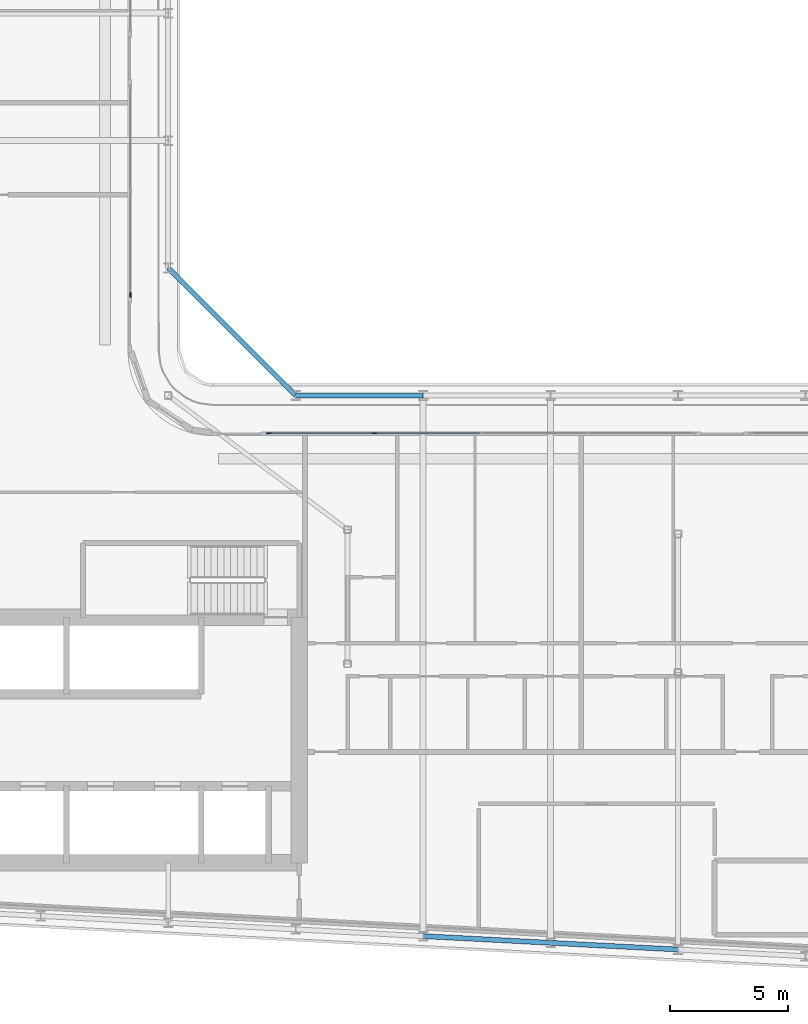
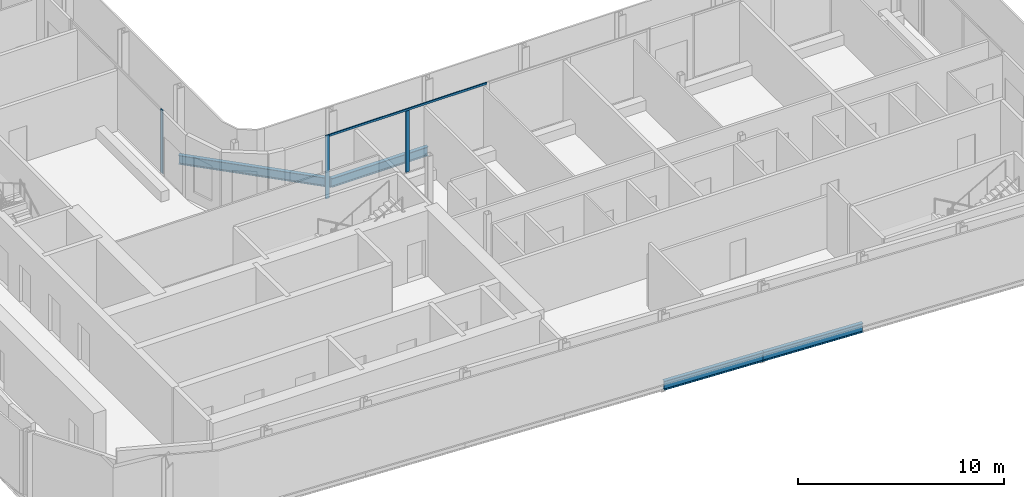
# One storey, part 4 of 21: 4 beams, 4 members, 2 elements without a shape of their own.
"""IFC4 building model written with IfcOpenShell, lengths in metres."""

from ifc_helpers import new_model, si_unit, direction, frame, origin, origin_2d, place, context, subcontext, project, spatial, rectangle, i_section, extrude, material, layer, layer_set, material_profile, profile_set, type_object, element, aggregate, save


model = new_model("IFC4")

# Units and contexts
model_context = context("Model", 3, precision=1e-05, world=origin(), true_north=direction((0.0, 1.0)))
body_context = subcontext(model_context, "Body", "Model", "MODEL_VIEW")
ifc_project = project(units=[si_unit("LENGTHUNIT", "METRE"), si_unit("AREAUNIT", "SQUARE_METRE"), si_unit("VOLUMEUNIT", "CUBIC_METRE"), si_unit("PLANEANGLEUNIT", "RADIAN"), si_unit("MASSUNIT", "GRAM", prefix="KILO")], contexts=[model_context])

# Site, building, storey
site_placement = place(None, origin())
site = spatial("IfcSite", under=ifc_project, at=site_placement, CompositionType="ELEMENT")
building_placement = place(site_placement, origin())
building = spatial("IfcBuilding", under=site, at=building_placement, Name="Kheshtan School and Residences Tower", CompositionType="ELEMENT")
storey_placement = place(building_placement, frame((0.0, 0.0, 231.800048828125)))
storey = spatial("IfcBuildingStorey", under=building, at=storey_placement, Name="L54", CompositionType="ELEMENT", Elevation=231.800048828125)

# Beams
ifc_material_1 = material(Name="Steel ASTM A992 Grade 50", Category="steel")
ifc_material_profile_1 = material_profile(ifc_material_1, i_section(OverallWidth=0.208984375, OverallDepth=0.532958984375, WebThickness=0.01025390625, FlangeThickness=0.015625, FilletRadius=0.013916015625, at=origin_2d()), Name="W530x92")
ifc_profile_set_1 = profile_set([ifc_material_profile_1], Name="Steel ASTM A992 Grade 50")
beam_type = type_object("IfcBeamType", Name="Beam SP3 W530x92 ASTM A992 Grade 50", PredefinedType="BEAM", material=ifc_profile_set_1)
beam_1_placement = place(storey_placement, frame((47.60009765625, 51.0, -0.41650390625), z_axis=(0.707106781187, -0.707106781187, 0.0), x_axis=(0.707106781187, 0.707106781187, 0.0)))
element("IfcBeam", 1, at=beam_1_placement, inside=storey, type_object=beam_type, Name="Spandrel beam C079-C061", PredefinedType="BEAM", context=body_context, shape_type="SweptSolid", body=[
    extrude(i_section(OverallWidth=0.208984375, OverallDepth=0.532958984375, WebThickness=0.01025390625, FlangeThickness=0.015625, FilletRadius=0.013916015625, at=origin_2d()), origin(), (0.0, 0.0, 1.0), 7.63671875),
])
beam_2_placement = place(storey_placement, frame((53.0, 45.60009765625, -0.41650390625), z_axis=(1.0, 0.0, 0.0), x_axis=(0.0, 1.0, 0.0)))
element("IfcBeam", 2, at=beam_2_placement, inside=storey, type_object=beam_type, Name="Spandrel beam C061-C062", PredefinedType="BEAM", context=body_context, shape_type="SweptSolid", body=[
    extrude(i_section(OverallWidth=0.208984375, OverallDepth=0.532958984375, WebThickness=0.01025390625, FlangeThickness=0.015625, FilletRadius=0.013916015625, at=origin_2d()), origin(), (0.0, 0.0, 1.0), 5.39990234375),
])
beam_3_placement = place(storey_placement, frame((69.199951171875, 22.126953125, -0.41650390625), z_axis=(-0.998620447272, 0.05250906864, 0.0), x_axis=(-0.05250906864, -0.998620447272, 0.0)))
element("IfcBeam", 3, at=beam_3_placement, inside=storey, type_object=beam_type, Name="Spandrel beam C014-C016", PredefinedType="BEAM", context=body_context, shape_type="SweptSolid", body=[
    extrude(i_section(OverallWidth=0.208984375, OverallDepth=0.532958984375, WebThickness=0.01025390625, FlangeThickness=0.015625, FilletRadius=0.013916015625, at=origin_2d()), origin(), (0.0, 0.0, 1.0), 5.407470703125),
])
beam_4_placement = place(storey_placement, frame((63.800048828125, 22.410888671875, -0.41650390625), z_axis=(-0.998618203458, 0.052551724256, 0.0), x_axis=(-0.052551724256, -0.998618203458, 0.0)))
element("IfcBeam", 4, at=beam_4_placement, inside=storey, type_object=beam_type, Name="Spandrel beam C016-C018", PredefinedType="BEAM", context=body_context, shape_type="SweptSolid", body=[
    extrude(i_section(OverallWidth=0.208984375, OverallDepth=0.532958984375, WebThickness=0.01025390625, FlangeThickness=0.015625, FilletRadius=0.013916015625, at=origin_2d()), origin(), (0.0, 0.0, 1.0), 5.40771484375),
])

# Curtain wall, member
ifc_material_2 = material(Name="Clear low-e glass in thermally broken aluminium frame", Category="aluminium")
ifc_layer = layer(ifc_material_2, 0.199951171875)
ifc_layer_set = layer_set([ifc_layer], Name="Curtain wall CW-L")
curtain_wall_type = type_object("IfcCurtainWallType", Name="Curtain wall CW-L", PredefinedType="NOTDEFINED", material=ifc_layer_set)
curtain_wall_1_placement = place(storey_placement, origin())
curtain_wall_1 = element("IfcCurtainWall", 5, at=curtain_wall_1_placement, inside=storey, type_object=curtain_wall_type, Name="Curtain wall CWL4b", PredefinedType="NOTDEFINED")
ifc_material_3 = material(Name="Thermally broken aluminium, dark bronze anodised", Category="aluminium")
ifc_material_profile_2 = material_profile(ifc_material_3, rectangle(XDim=0.06005859375, YDim=0.199951171875, at=origin_2d()), Name="CW-L mullion 60x200")
ifc_profile_set_2 = profile_set([ifc_material_profile_2], Name="Thermally broken aluminium, dark bronze anodised")
member_type_1 = type_object("IfcMemberType", Name="CW-L mullion 60x200", PredefinedType="MULLION", material=ifc_profile_set_2)
member_1_placement = place(storey_placement, frame((46.0, 49.860107421875, 0.0), z_axis=(0.0, 0.0, 1.0), x_axis=(1.0, 0.0, 0.0)))
member_1 = element("IfcMember", 6, at=member_1_placement, type_object=member_type_1, Name="CWL4b mullion 3", PredefinedType="MULLION", context=body_context, shape_type="SweptSolid", body=[
    extrude(rectangle(XDim=0.06005859375, YDim=0.199951171875, at=origin_2d()), origin(), (0.0, 0.0, 1.0), 3.75),
])
aggregate(curtain_wall_1, [member_1])

# Curtain wall, members
curtain_wall_2_placement = place(storey_placement, origin())
curtain_wall_2 = element("IfcCurtainWall", 7, at=curtain_wall_2_placement, inside=storey, type_object=curtain_wall_type, Name="Curtain wall CWL8n", PredefinedType="NOTDEFINED")
member_2_placement = place(storey_placement, frame((51.860107421875, 44.0, 0.0), z_axis=(0.0, 0.0, 1.0), x_axis=(0.0, 1.0, 0.0)))
member_2 = element("IfcMember", 8, at=member_2_placement, type_object=member_type_1, Name="CWL8n mullion 1", PredefinedType="MULLION", context=body_context, shape_type="SweptSolid", body=[
    extrude(rectangle(XDim=0.06005859375, YDim=0.199951171875, at=origin_2d()), origin(), (0.0, 0.0, 1.0), 3.75),
])
member_3_placement = place(storey_placement, frame((56.341552734375, 44.0, 0.0), z_axis=(0.0, 0.0, 1.0), x_axis=(0.0, 1.0, 0.0)))
member_3 = element("IfcMember", 9, at=member_3_placement, type_object=member_type_1, Name="CWL8n mullion 2", PredefinedType="MULLION", context=body_context, shape_type="SweptSolid", body=[
    extrude(rectangle(XDim=0.06005859375, YDim=0.199951171875, at=origin_2d()), origin(), (0.0, 0.0, 1.0), 3.6298828125),
])
ifc_material_profile_3 = material_profile(ifc_material_3, rectangle(XDim=0.06005859375, YDim=0.1201171875, at=origin_2d()), Name="CW-L transom 60x120")
ifc_profile_set_3 = profile_set([ifc_material_profile_3], Name="Thermally broken aluminium, dark bronze anodised")
member_type_2 = type_object("IfcMemberType", Name="CW-L transom 60x120", PredefinedType="USERDEFINED", material=ifc_profile_set_3)
member_4_placement = place(storey_placement, frame((51.889892578125, 44.0, 3.68994140625), z_axis=(1.0, 0.0, 0.0), x_axis=(0.0, 1.0, 0.0)))
member_4 = element("IfcMember", 10, at=member_4_placement, type_object=member_type_2, Name="CWL8n transom 1", ObjectType="TRANSOM", PredefinedType="USERDEFINED", context=body_context, shape_type="SweptSolid", body=[
    extrude(rectangle(XDim=0.06005859375, YDim=0.1201171875, at=origin_2d()), origin(), (0.0, 0.0, 1.0), 8.9033203125),
])
aggregate(curtain_wall_2, [member_2, member_3, member_4])

save(model, "model.ifc")
